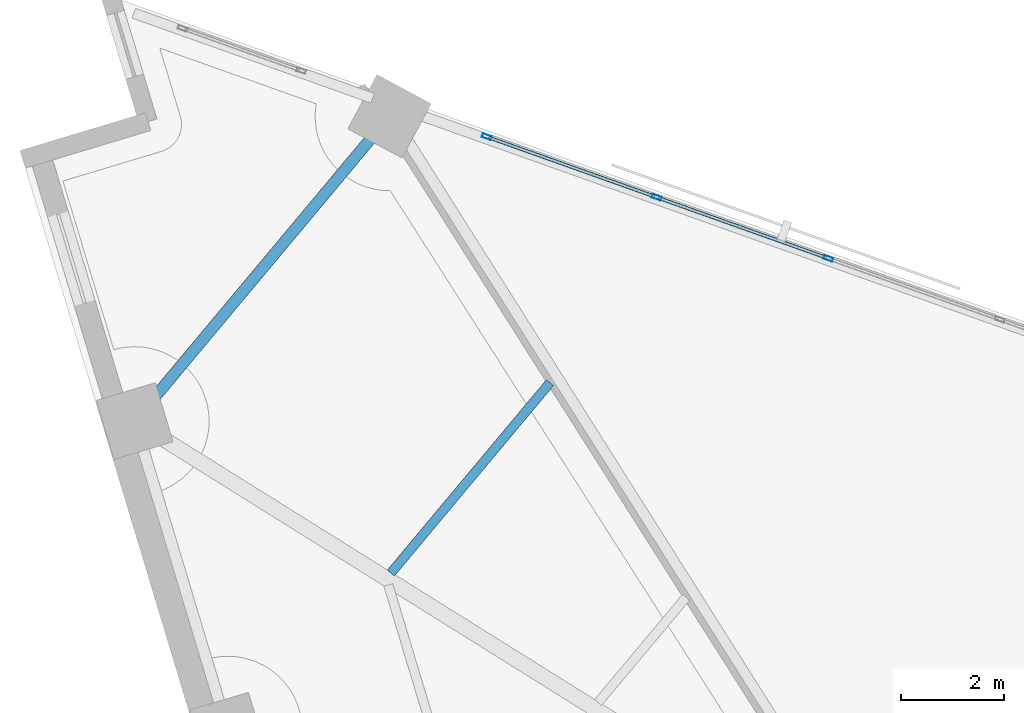
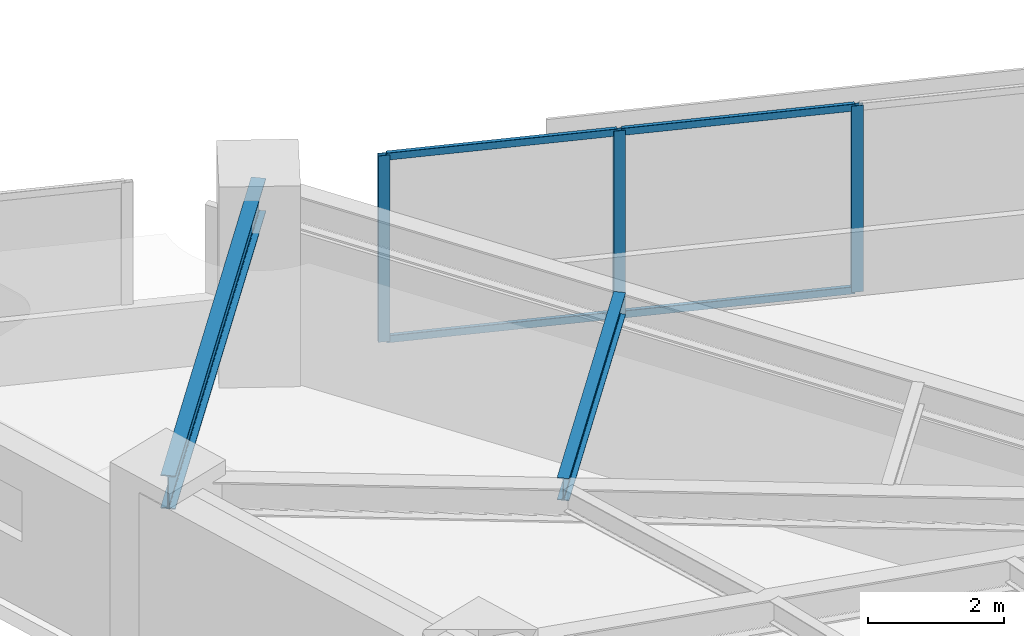
# One storey, part 6 of 16: 7 members, 2 beams, 1 element without a shape of its own.
"""IFC4 building model written with IfcOpenShell, lengths in metres."""

import ifcopenshell
import ifcopenshell.guid

model = None  # the IFC model being written
_history = None  # IfcOwnerHistory: only IFC2X3 demands one
_inside = {}  # id of a spatial element -> (the spatial element, [elements in it])
_under = {}  # id of a project, library or spatial element -> (it, [spatial elements below it])
_declared = {}  # id of a project -> (the project, [libraries it declares])
_typed = {}  # id of a type object -> (the type object, [elements of that type])
_made_of = {}  # id of a material, layer set ... -> (it, [elements and type objects made of it])


def new_model(schema):
    """Start an empty IFC model of exactly this schema.

    Asked for "IFC4X3", IfcOpenShell would pick the latest addendum, in which some entities
    have other attributes; the version numbers below select the first issue.
    IFC2X3 requires an IfcOwnerHistory on every rooted entity: one is made here for all.
    """
    global model, _history
    if schema == "IFC4X3":
        model = ifcopenshell.file(schema_version=(4, 3, 0, 0))
    else:
        model = ifcopenshell.file(schema=schema)
    _inside.clear()
    _under.clear()
    _declared.clear()
    _typed.clear()
    _made_of.clear()
    _history = None
    if model.schema == "IFC2X3":
        org = make("IfcOrganization", Name="unknown")
        user = make(
            "IfcPersonAndOrganization",
            ThePerson=make("IfcPerson", FamilyName="unknown"),
            TheOrganization=org,
        )
        app = make(
            "IfcApplication",
            ApplicationDeveloper=org,
            Version="unknown",
            ApplicationFullName="unknown",
            ApplicationIdentifier="unknown",
        )
        _history = make(
            "IfcOwnerHistory",
            OwningUser=user,
            OwningApplication=app,
            ChangeAction="ADDED",
            CreationDate=0,
        )
    return model


def make(cls, **values):
    """One entity of the class cls with the attributes given. An attribute that is None is left unset."""
    return model.create_entity(
        cls, **{name: value for name, value in values.items() if value is not None}
    )


def rooted(cls, **values):
    """An entity with a GlobalId (a new one), such as an element, a storey or a relation."""
    return make(cls, GlobalId=ifcopenshell.guid.new(), OwnerHistory=_history, **values)


def si_unit(unit_type, name, prefix=None):
    """IfcSIUnit, for example si_unit("LENGTHUNIT", "METRE", prefix="MILLI")."""
    return make("IfcSIUnit", UnitType=unit_type, Prefix=prefix, Name=name)


def assignment(units):
    """IfcUnitAssignment: the units of a project."""
    return None if units is None else make("IfcUnitAssignment", Units=units)


def point(xyz):
    """IfcCartesianPoint."""
    return None if xyz is None else make("IfcCartesianPoint", Coordinates=xyz)


def direction(xyz):
    """IfcDirection."""
    return None if xyz is None else make("IfcDirection", DirectionRatios=xyz)


def frame(location, z_axis=None, x_axis=None):
    """IfcAxis2Placement3D, a coordinate frame: its origin and axes. An axis left out is left unset."""
    return make(
        "IfcAxis2Placement3D",
        Location=point(location),
        Axis=direction(z_axis),
        RefDirection=direction(x_axis),
    )


def frame_2d(location, x_axis=None):
    """IfcAxis2Placement2D, a coordinate frame in the plane: its origin and x axis."""
    return make(
        "IfcAxis2Placement2D", Location=point(location), RefDirection=direction(x_axis)
    )


def origin():
    """The frame at (0, 0, 0) with its axes left unset."""
    return frame((0.0, 0.0, 0.0))


def origin_2d():
    """The frame at (0, 0) in the plane with its x axis left unset."""
    return frame_2d((0.0, 0.0))


def place(relative_to, where):
    """IfcLocalPlacement: puts the frame where relative to a parent placement (None: the world)."""
    return make(
        "IfcLocalPlacement", PlacementRelTo=relative_to, RelativePlacement=where
    )


def context(
    kind, dimensions, precision=None, world=None, true_north=None, identifier=None
):
    """IfcGeometricRepresentationContext, for example the 3D "Model" context."""
    return make(
        "IfcGeometricRepresentationContext",
        ContextIdentifier=identifier,
        ContextType=kind,
        CoordinateSpaceDimension=dimensions,
        Precision=precision,
        WorldCoordinateSystem=world,
        TrueNorth=true_north,
    )


def subcontext(parent, identifier, kind, view, scale=None):
    """IfcGeometricRepresentationSubContext, for example "Body" below "Model"."""
    return make(
        "IfcGeometricRepresentationSubContext",
        ContextIdentifier=identifier,
        ContextType=kind,
        ParentContext=parent,
        TargetScale=scale,
        TargetView=view,
    )


def project(units=None, contexts=None):
    """IfcProject with its units and contexts."""
    return rooted(
        "IfcProject",
        Name="project",
        RepresentationContexts=contexts,
        UnitsInContext=assignment(units),
    )


def spatial(cls, under=None, at=None, **own):
    """A site, building, storey or space (cls), placed at a placement, below another one or the project."""
    s = rooted(cls, ObjectPlacement=at, **own)
    if under is not None:
        _under.setdefault(under.id(), (under, []))[1].append(s)
    return s


def profile(cls, at=None, kind="AREA", **sizes):
    """A parametric profile (cls). Its sizes go by their IFC names, for example OverallWidth=200.0."""
    return make(cls, ProfileType=kind, Position=at, **sizes)


def hollow_rectangle(**sizes):
    """IfcRectangleHollowProfileDef."""
    return profile("IfcRectangleHollowProfileDef", **sizes)


def i_section(**sizes):
    """IfcIShapeProfileDef."""
    return profile("IfcIShapeProfileDef", **sizes)


def extrude(swept, where, along, depth):
    """IfcExtrudedAreaSolid: the profile swept, set in the frame where, extruded along a direction by depth."""
    return make(
        "IfcExtrudedAreaSolid",
        SweptArea=swept,
        Position=where,
        ExtrudedDirection=direction(along),
        Depth=depth,
    )


def shape(context_of_items, identifier, shape_type, items):
    """IfcShapeRepresentation: the items that make up one representation, for example the "Body"."""
    return make(
        "IfcShapeRepresentation",
        ContextOfItems=context_of_items,
        RepresentationIdentifier=identifier,
        RepresentationType=shape_type,
        Items=items,
    )


def material(Name=None, Category=None):
    """IfcMaterial."""
    return make("IfcMaterial", Name=Name, Category=Category)


def material_profile(
    of_material, cross_section, Name=None, Category=None, Priority=None
):
    """IfcMaterialProfile: a cross section and its material."""
    return make(
        "IfcMaterialProfile",
        Name=Name,
        Material=of_material,
        Profile=cross_section,
        Priority=Priority,
        Category=Category,
    )


def profile_set(profiles, Name=None, composite=None):
    """IfcMaterialProfileSet."""
    return make(
        "IfcMaterialProfileSet",
        Name=Name,
        MaterialProfiles=profiles,
        CompositeProfile=composite,
    )


def made_of(thing, what):
    """Note that an element or type object is made of a material, layer set ...; save() writes the relation."""
    if what is not None:
        _made_of.setdefault(what.id(), (what, []))[1].append(thing)
    return thing


def type_object(cls, material=None, **own):
    """A type object (cls), such as IfcWallType, which elements share."""
    return made_of(rooted(cls, **own), material)


def element(
    cls,
    number,
    at=None,
    inside=None,
    cuts=None,
    type_object=None,
    material=None,
    context=None,
    identifier="Body",
    shape_type=None,
    held_by="IfcProductDefinitionShape",
    body=None,
    shapes=None,
    **own,
):
    """One element of the class cls, such as IfcWall. Its Tag is "e" and its number.

    at: its placement. inside: the storey or other place that contains it. cuts: it is an
    opening in that element (IfcRelVoidsElement). A single representation is given by context,
    identifier, shape_type and body (its items); several are given by shapes. held_by: the class
    of the entity that holds the representations. save() writes the other relations.
    """
    e = rooted(cls, Tag="e%d" % number, ObjectPlacement=at, **own)
    if body is not None:
        shapes = [shape(context, identifier, shape_type, body)]
    if shapes is not None:
        e.Representation = make(held_by, Representations=shapes)
    if inside is not None:
        _inside.setdefault(inside.id(), (inside, []))[1].append(e)
    if cuts is not None:
        rooted(
            "IfcRelVoidsElement", RelatingBuildingElement=cuts, RelatedOpeningElement=e
        )
    if type_object is not None:
        _typed.setdefault(type_object.id(), (type_object, []))[1].append(e)
    return made_of(e, material)


def aggregate(whole, parts):
    """IfcRelAggregates: a whole, such as a stair, and the parts it consists of."""
    return rooted("IfcRelAggregates", RelatingObject=whole, RelatedObjects=parts)


def save(model, path):
    """Write the relations noted so far, then the file.

    IfcRelAggregates (storeys below a building ...), IfcRelContainedInSpatialStructure (elements
    in a storey), IfcRelDefinesByType, IfcRelAssociatesMaterial and IfcRelDeclares: one each for
    every whole, place, type object, material and project.
    """
    for whole, parts in _under.values():
        aggregate(whole, parts)
    for where, things in _inside.values():
        rooted(
            "IfcRelContainedInSpatialStructure",
            RelatedElements=things,
            RelatingStructure=where,
        )
    for kind, things in _typed.values():
        rooted("IfcRelDefinesByType", RelatedObjects=things, RelatingType=kind)
    for what, things in _made_of.values():
        rooted("IfcRelAssociatesMaterial", RelatedObjects=things, RelatingMaterial=what)
    for by, libraries in _declared.values():
        rooted("IfcRelDeclares", RelatingContext=by, RelatedDefinitions=libraries)
    model.write(path)


model = new_model("IFC4")

# Units and contexts
model_context = context("Model", 3, precision=1e-05, world=origin(), true_north=direction((0.0, 1.0)))
body_context = subcontext(model_context, "Body", "Model", "MODEL_VIEW")
ifc_project = project(units=[si_unit("LENGTHUNIT", "METRE"), si_unit("AREAUNIT", "SQUARE_METRE"), si_unit("VOLUMEUNIT", "CUBIC_METRE"), si_unit("PLANEANGLEUNIT", "RADIAN"), si_unit("MASSUNIT", "GRAM", prefix="KILO")], contexts=[model_context])

# Site, building, storey
site_placement = place(None, origin())
site = spatial("IfcSite", under=ifc_project, at=site_placement, CompositionType="ELEMENT")
building_placement = place(site_placement, origin())
building = spatial("IfcBuilding", under=site, at=building_placement, Name="Narakoshi Arena Tower", CompositionType="ELEMENT")
storey_placement = place(building_placement, frame((0.0, 0.0, 153.89990234375)))
storey = spatial("IfcBuildingStorey", under=building, at=storey_placement, Name="L41", CompositionType="ELEMENT", Elevation=153.89990234375)

# Beams
ifc_material_1 = material(Name="Structural steel S355J2", Category="steel")
ifc_material_profile_1 = material_profile(ifc_material_1, i_section(OverallWidth=0.219970703125, OverallDepth=0.60009765625, WebThickness=0.011962890625, FlangeThickness=0.01904296875, FilletRadius=0.02392578125, at=origin_2d()), Name="IPE600")
ifc_profile_set_1 = profile_set([ifc_material_profile_1], Name="Structural steel S355J2")
beam_type_1 = type_object("IfcBeamType", Name="BM-EDGE-600", PredefinedType="BEAM", material=ifc_profile_set_1)
beam_1_placement = place(storey_placement, frame((62.545166015625, 71.4501953125, 3.0400390625), z_axis=(-0.641406030011, -0.767201606272, 0.0), x_axis=(0.767201606272, -0.641406030011, 0.0)))
element("IfcBeam", 1, at=beam_1_placement, inside=storey, type_object=beam_type_1, Name="L41 Perimeter Edge Girder 09", PredefinedType="BEAM", context=body_context, shape_type="SweptSolid", body=[
    extrude(i_section(OverallWidth=0.219970703125, OverallDepth=0.60009765625, WebThickness=0.011962890625, FlangeThickness=0.01904296875, FilletRadius=0.02392578125, at=origin_2d()), origin(), (0.0, 0.0, 1.0), 7.73974609375),
])
ifc_material_profile_2 = material_profile(ifc_material_1, i_section(OverallWidth=0.179931640625, OverallDepth=0.39990234375, WebThickness=0.008544921875, FlangeThickness=0.013427734375, FilletRadius=0.02099609375, at=origin_2d()), Name="IPE400")
ifc_profile_set_2 = profile_set([ifc_material_profile_2], Name="Structural steel S355J2")
beam_type_2 = type_object("IfcBeamType", Name="BM-SEC-400", PredefinedType="JOIST", material=ifc_profile_set_2)
beam_2_placement = place(storey_placement, frame((65.673095703125, 66.263671875, 3.14013671875), z_axis=(-0.641350038539, -0.767248413531, 0.0), x_axis=(0.767248413531, -0.641350038539, 0.0)))
element("IfcBeam", 2, at=beam_2_placement, inside=storey, type_object=beam_type_2, Name="L41 Composite Secondary Floor Joist 08", PredefinedType="JOIST", context=body_context, shape_type="SweptSolid", body=[
    extrude(i_section(OverallWidth=0.179931640625, OverallDepth=0.39990234375, WebThickness=0.008544921875, FlangeThickness=0.013427734375, FilletRadius=0.02099609375, at=origin_2d()), origin(), (0.0, 0.0, 1.0), 4.83837890625),
])

# Curtain wall, members
ifc_material_2 = material(Name="Anodised bronze aluminium 6063-T6", Category="aluminium")
curtain_wall_type = type_object("IfcCurtainWallType", Name="CW-HYP-MID", PredefinedType="NOTDEFINED", material=ifc_material_2)
curtain_wall_placement = place(storey_placement, origin())
curtain_wall = element("IfcCurtainWall", 3, at=curtain_wall_placement, inside=storey, type_object=curtain_wall_type, Name="L41 Folded Hypotenuse Curtain Wall 2-1", PredefinedType="NOTDEFINED")
ifc_material_profile_3 = material_profile(ifc_material_2, hollow_rectangle(XDim=0.074951171875, YDim=0.179931640625, WallThickness=0.00390625, OuterFilletRadius=0.0048828125, at=origin_2d()), Name="MUL180x75x4")
ifc_profile_set_3 = profile_set([ifc_material_profile_3], Name="Anodised bronze aluminium 6063-T6")
member_type_1 = type_object("IfcMemberType", Name="MEM-MUL-180", PredefinedType="MULLION", material=ifc_profile_set_3)
member_1_placement = place(storey_placement, frame((71.092529296875, 68.68212890625, 0.0), z_axis=(0.0, 0.0, 1.0), x_axis=(-0.335518297139, -0.94203368957, 0.0)))
member_1 = element("IfcMember", 4, at=member_1_placement, type_object=member_type_1, Name="CW-02 mullion 6", PredefinedType="MULLION", context=body_context, shape_type="SweptSolid", body=[
    extrude(hollow_rectangle(XDim=0.074951171875, YDim=0.179931640625, WallThickness=0.00390625, OuterFilletRadius=0.0048828125, at=origin_2d()), origin(), (0.0, 0.0, 1.0), 3.340087890625),
])
member_2_placement = place(storey_placement, frame((67.748046875, 69.873291015625, 0.0), z_axis=(0.0, 0.0, 1.0), x_axis=(-0.335518297139, -0.94203368957, 0.0)))
member_2 = element("IfcMember", 5, at=member_2_placement, type_object=member_type_1, Name="CW-02 mullion 7", PredefinedType="MULLION", context=body_context, shape_type="SweptSolid", body=[
    extrude(hollow_rectangle(XDim=0.074951171875, YDim=0.179931640625, WallThickness=0.00390625, OuterFilletRadius=0.0048828125, at=origin_2d()), origin(), (0.0, 0.0, 1.0), 3.340087890625),
])
member_3_placement = place(storey_placement, frame((64.438720703125, 71.052001953125, 0.0), z_axis=(0.0, 0.0, 1.0), x_axis=(-0.335518297139, -0.94203368957, 0.0)))
member_3 = element("IfcMember", 6, at=member_3_placement, type_object=member_type_1, Name="CW-02 mullion 8", PredefinedType="MULLION", context=body_context, shape_type="SweptSolid", body=[
    extrude(hollow_rectangle(XDim=0.074951171875, YDim=0.179931640625, WallThickness=0.00390625, OuterFilletRadius=0.0048828125, at=origin_2d()), origin(), (0.0, 0.0, 1.0), 3.340087890625),
])
ifc_material_profile_4 = material_profile(ifc_material_2, hollow_rectangle(XDim=0.06494140625, YDim=0.1298828125, WallThickness=0.00390625, OuterFilletRadius=0.0048828125, at=origin_2d()), Name="TRN130x65x4")
ifc_profile_set_4 = profile_set([ifc_material_profile_4], Name="Anodised bronze aluminium 6063-T6")
member_type_2 = type_object("IfcMemberType", Name="MEM-TRN-130", PredefinedType="USERDEFINED", material=ifc_profile_set_4)
member_4_placement = place(storey_placement, frame((71.05712890625, 68.694580078125, 0.03271484375), z_axis=(-0.942014960696, 0.335570877498, 0.0), x_axis=(-0.335570877498, -0.942014960696, 0.0)))
member_4 = element("IfcMember", 7, at=member_4_placement, type_object=member_type_2, Name="CW-02 transom 6.1", ObjectType="TRANSOM", PredefinedType="USERDEFINED", context=body_context, shape_type="SweptSolid", body=[
    extrude(hollow_rectangle(XDim=0.06494140625, YDim=0.1298828125, WallThickness=0.00390625, OuterFilletRadius=0.0048828125, at=origin_2d()), origin(), (0.0, 0.0, 1.0), 3.475341796875),
])
member_5_placement = place(storey_placement, frame((71.05712890625, 68.694580078125, 3.3076171875), z_axis=(-0.942014960696, 0.335570877498, 0.0), x_axis=(-0.335570877498, -0.942014960696, 0.0)))
member_5 = element("IfcMember", 8, at=member_5_placement, type_object=member_type_2, Name="CW-02 transom 6.2", ObjectType="TRANSOM", PredefinedType="USERDEFINED", context=body_context, shape_type="SweptSolid", body=[
    extrude(hollow_rectangle(XDim=0.06494140625, YDim=0.1298828125, WallThickness=0.00390625, OuterFilletRadius=0.0048828125, at=origin_2d()), origin(), (0.0, 0.0, 1.0), 3.475341796875),
])
member_6_placement = place(storey_placement, frame((67.712646484375, 69.885986328125, 0.03271484375), z_axis=(-0.942045199235, 0.335485979735, 0.0), x_axis=(-0.335485979735, -0.942045199235, 0.0)))
member_6 = element("IfcMember", 9, at=member_6_placement, type_object=member_type_2, Name="CW-02 transom 7.1", ObjectType="TRANSOM", PredefinedType="USERDEFINED", context=body_context, shape_type="SweptSolid", body=[
    extrude(hollow_rectangle(XDim=0.06494140625, YDim=0.1298828125, WallThickness=0.00390625, OuterFilletRadius=0.0048828125, at=origin_2d()), origin(), (0.0, 0.0, 1.0), 3.437744140625),
])
member_7_placement = place(storey_placement, frame((67.712646484375, 69.885986328125, 3.3076171875), z_axis=(-0.942045199235, 0.335485979735, 0.0), x_axis=(-0.335485979735, -0.942045199235, 0.0)))
member_7 = element("IfcMember", 10, at=member_7_placement, type_object=member_type_2, Name="CW-02 transom 7.2", ObjectType="TRANSOM", PredefinedType="USERDEFINED", context=body_context, shape_type="SweptSolid", body=[
    extrude(hollow_rectangle(XDim=0.06494140625, YDim=0.1298828125, WallThickness=0.00390625, OuterFilletRadius=0.0048828125, at=origin_2d()), origin(), (0.0, 0.0, 1.0), 3.437744140625),
])
aggregate(curtain_wall, [member_1, member_2, member_3, member_4, member_5, member_6, member_7])

save(model, "model.ifc")
